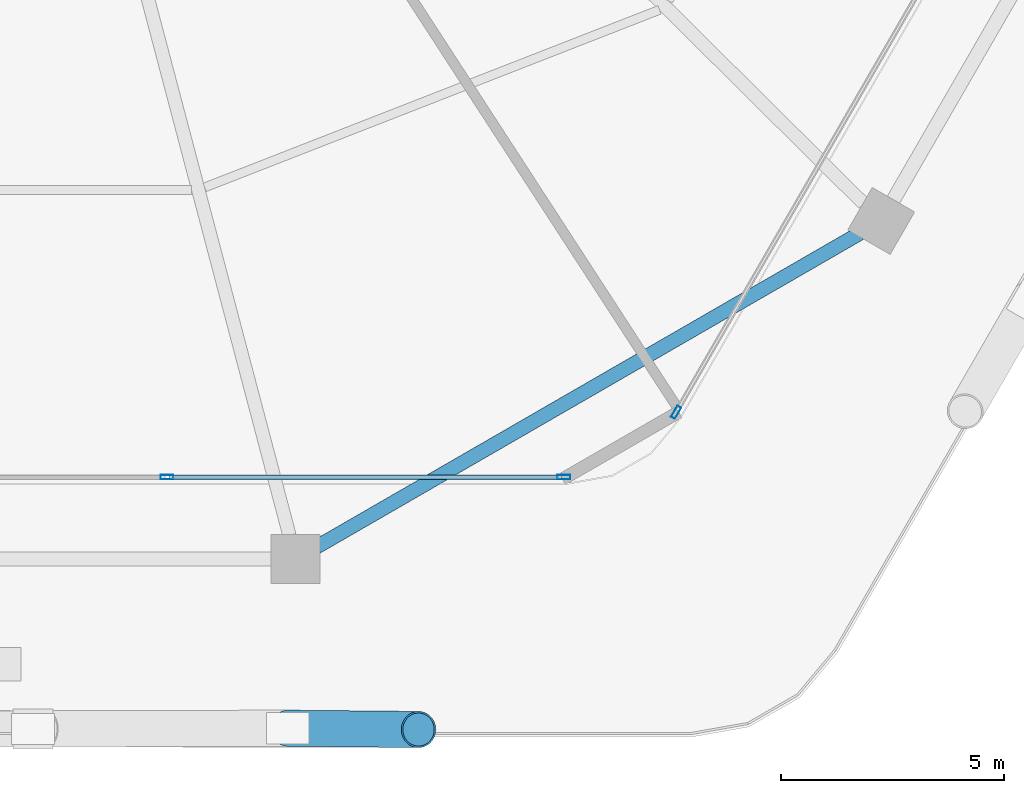
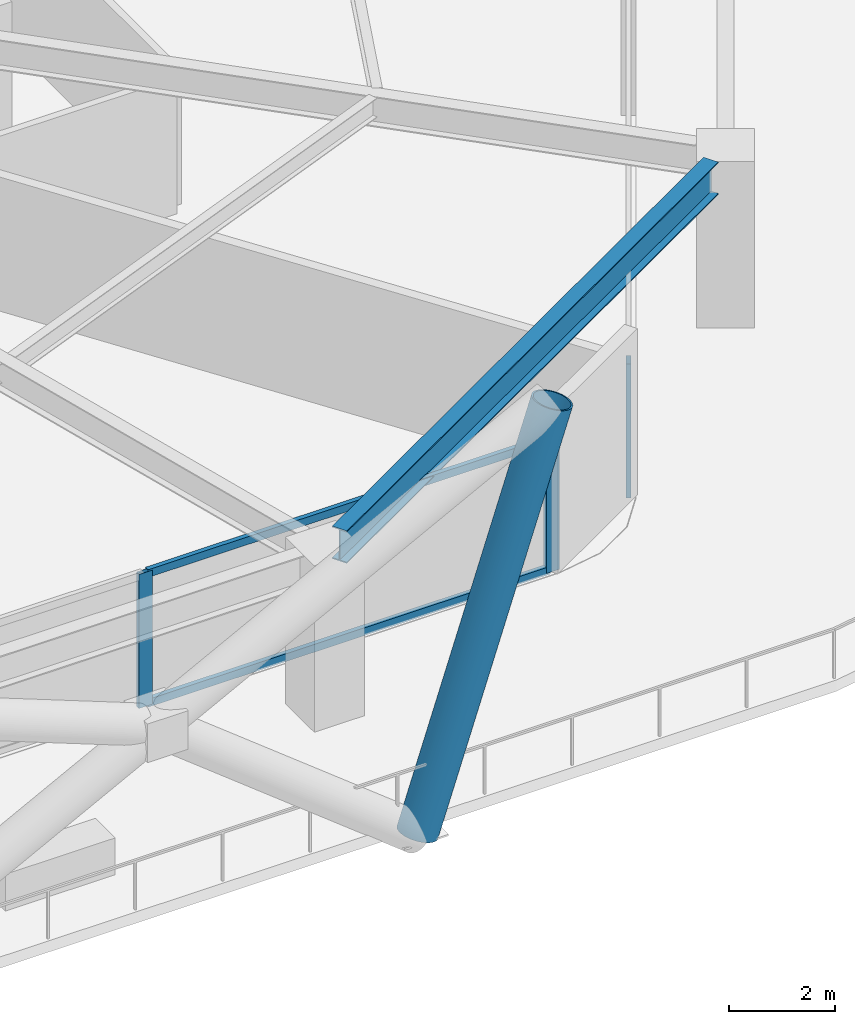
# One storey, part 8 of 28: 6 members, 1 beam, 2 elements without a shape of their own.
"""IFC4 building model written with IfcOpenShell, lengths in metres."""

from ifc_helpers import new_model, si_unit, direction, frame, origin, origin_2d, place, context, subcontext, project, spatial, hollow_rectangle, hollow_circle, i_section, extrude, material, material_profile, profile_set, type_object, element, aggregate, save


model = new_model("IFC4")

# Units and contexts
model_context = context("Model", 3, precision=1e-05, world=origin(), true_north=direction((0.0, 1.0)))
body_context = subcontext(model_context, "Body", "Model", "MODEL_VIEW")
ifc_project = project(units=[si_unit("LENGTHUNIT", "METRE"), si_unit("AREAUNIT", "SQUARE_METRE"), si_unit("VOLUMEUNIT", "CUBIC_METRE"), si_unit("PLANEANGLEUNIT", "RADIAN"), si_unit("MASSUNIT", "GRAM", prefix="KILO")], contexts=[model_context])

# Site, building, storey
site_placement = place(None, origin())
site = spatial("IfcSite", under=ifc_project, at=site_placement, CompositionType="ELEMENT")
building_placement = place(site_placement, origin())
building = spatial("IfcBuilding", under=site, at=building_placement, Name="Zuhravey Tower", CompositionType="ELEMENT")
storey_placement = place(building_placement, frame((0.0, 0.0, 83.39990234375)))
storey = spatial("IfcBuildingStorey", under=building, at=storey_placement, Name="L20", CompositionType="ELEMENT", Elevation=83.39990234375)

# Member
ifc_material_1 = material(Name="Steel SM460", Category="steel")
ifc_material_profile_1 = material_profile(ifc_material_1, hollow_circle(Radius=0.406494140625, WallThickness=0.035888671875, at=origin_2d()), Name="CHS-812.8x36")
ifc_profile_set_1 = profile_set([ifc_material_profile_1], Name="Steel SM460")
member_type_1 = type_object("IfcMemberType", Name="Exoskeleton Zone 1 Diagrid CHS813x36", PredefinedType="BRACE", material=ifc_profile_set_1)
member_1_placement = place(storey_placement, frame((43.201171875, 0.25146484375, -0.471923828125), z_axis=(0.309849015369, -0.003151444758, 0.950780550953), x_axis=(0.010170378508, 0.999948280363, 0.0)))
element("IfcMember", 1, at=member_1_placement, inside=storey, type_object=member_type_1, Name="L20 Face 5 Diagrid Brace 4", PredefinedType="BRACE", context=body_context, shape_type="SweptSolid", body=[
    extrude(hollow_circle(Radius=0.406494140625, WallThickness=0.035888671875, at=origin_2d()), origin(), (0.0, 0.0, 1.0), 9.451171875),
])

# Curtain wall, member
ifc_material_2 = material(Name="Thermally broken anodised aluminium", Category="aluminium")
curtain_wall_type = type_object("IfcCurtainWallType", Name="Sky-Playground Recessed Curtain Wall CW2", PredefinedType="NOTDEFINED", material=ifc_material_2)
curtain_wall_1_placement = place(storey_placement, origin())
curtain_wall_1 = element("IfcCurtainWall", 2, at=curtain_wall_1_placement, inside=storey, type_object=curtain_wall_type, Name="L20 CW2 CW-L20-F6-2", PredefinedType="NOTDEFINED")
ifc_material_3 = material(Name="Anodised aluminium", Category="aluminium")
ifc_material_profile_2 = material_profile(ifc_material_3, hollow_rectangle(XDim=0.10009765625, YDim=0.2900390625, WallThickness=0.006103515625, at=origin_2d()), Name="ALU-RHS-100x290x6")
ifc_profile_set_2 = profile_set([ifc_material_profile_2], Name="Anodised aluminium")
member_type_2 = type_object("IfcMemberType", Name="Heavy Tall-Storey Mullion 100x220", PredefinedType="MULLION", material=ifc_profile_set_2)
member_2_placement = place(storey_placement, frame((51.914306640625, 7.347412109375, 0.0), z_axis=(0.0, 0.0, 1.0), x_axis=(0.866025707437, -0.499999474059, 0.0)))
member_2 = element("IfcMember", 3, at=member_2_placement, type_object=member_type_2, Name="CW2 mullion 2", PredefinedType="MULLION", context=body_context, shape_type="SweptSolid", body=[
    extrude(hollow_rectangle(XDim=0.10009765625, YDim=0.2900390625, WallThickness=0.006103515625, at=origin_2d()), origin(), (0.0, 0.0, 1.0), 3.10009765625),
])
aggregate(curtain_wall_1, [member_2])

# Curtain wall, members
curtain_wall_2_placement = place(storey_placement, origin())
curtain_wall_2 = element("IfcCurtainWall", 4, at=curtain_wall_2_placement, inside=storey, type_object=curtain_wall_type, Name="L20 CW2 CW-L20-F5-1", PredefinedType="NOTDEFINED")
member_3_placement = place(storey_placement, frame((49.392578125, 5.8916015625, 0.0), z_axis=(0.0, 0.0, 1.0), x_axis=(0.0, -1.0, 0.0)))
member_3 = element("IfcMember", 5, at=member_3_placement, type_object=member_type_2, Name="CW2 mullion 1", PredefinedType="MULLION", context=body_context, shape_type="SweptSolid", body=[
    extrude(hollow_rectangle(XDim=0.10009765625, YDim=0.2900390625, WallThickness=0.006103515625, at=origin_2d()), origin(), (0.0, 0.0, 1.0), 3.10009765625),
])
member_4_placement = place(storey_placement, frame((40.48095703125, 5.8916015625, 0.0), z_axis=(0.0, 0.0, 1.0), x_axis=(0.0, -1.0, 0.0)))
member_4 = element("IfcMember", 6, at=member_4_placement, type_object=member_type_2, Name="CW2 mullion 2", PredefinedType="MULLION", context=body_context, shape_type="SweptSolid", body=[
    extrude(hollow_rectangle(XDim=0.10009765625, YDim=0.2900390625, WallThickness=0.006103515625, at=origin_2d()), origin(), (0.0, 0.0, 1.0), 3.10009765625),
])

# Beam
ifc_material_4 = material(Name="Steel SM355", Category="steel")
ifc_material_profile_3 = material_profile(ifc_material_4, i_section(OverallWidth=0.320068359375, OverallDepth=0.75, WebThickness=0.013916015625, FlangeThickness=0.02490234375, at=origin_2d()), Name="H-750x320x14x25")
ifc_profile_set_3 = profile_set([ifc_material_profile_3], Name="Steel SM355")
beam_type = type_object("IfcBeamType", Name="Perimeter Ring Beam H750x320", PredefinedType="BEAM", material=ifc_profile_set_3)
beam_placement = place(storey_placement, frame((43.848876953125, 4.327880859375, 3.47509765625), z_axis=(0.866017786538, 0.500013193225, 0.0), x_axis=(-0.500013193225, 0.866017786538, 0.0)))
element("IfcBeam", 7, at=beam_placement, inside=storey, type_object=beam_type, Name="L20 PB1 BM-L20-PB-10", PredefinedType="BEAM", context=body_context, shape_type="SweptSolid", body=[
    extrude(i_section(OverallWidth=0.320068359375, OverallDepth=0.75, WebThickness=0.013916015625, FlangeThickness=0.02490234375, at=origin_2d()), origin(), (0.0, 0.0, 1.0), 14.0771484375),
])

# Member
ifc_material_profile_4 = material_profile(ifc_material_3, hollow_rectangle(XDim=0.10009765625, YDim=0.179931640625, WallThickness=0.006103515625, at=origin_2d()), Name="ALU-RHS-100x180x6")
ifc_profile_set_4 = profile_set([ifc_material_profile_4], Name="Anodised aluminium")
member_type_3 = type_object("IfcMemberType", Name="Tall-Storey Transom 100x180", PredefinedType="USERDEFINED", material=ifc_profile_set_4)
member_5_placement = place(storey_placement, frame((49.3427734375, 5.8916015625, 0.050048828125), z_axis=(-1.0, 0.0, 0.0), x_axis=(0.0, -1.0, 0.0)))
member_5 = element("IfcMember", 8, at=member_5_placement, type_object=member_type_3, Name="CW2 transom 1.1", ObjectType="TRANSOM", PredefinedType="USERDEFINED", context=body_context, shape_type="SweptSolid", body=[
    extrude(hollow_rectangle(XDim=0.10009765625, YDim=0.179931640625, WallThickness=0.006103515625, at=origin_2d()), origin(), (0.0, 0.0, 1.0), 8.811767578125),
])

member_6_placement = place(storey_placement, frame((49.3427734375, 5.8916015625, 3.050048828125), z_axis=(-1.0, 0.0, 0.0), x_axis=(0.0, -1.0, 0.0)))
member_6 = element("IfcMember", 9, at=member_6_placement, type_object=member_type_3, Name="CW2 transom 1.2", ObjectType="TRANSOM", PredefinedType="USERDEFINED", context=body_context, shape_type="SweptSolid", body=[
    extrude(hollow_rectangle(XDim=0.10009765625, YDim=0.179931640625, WallThickness=0.006103515625, at=origin_2d()), origin(), (0.0, 0.0, 1.0), 8.811767578125),
])

aggregate(curtain_wall_2, [member_3, member_4, member_5, member_6])

save(model, "model.ifc")
